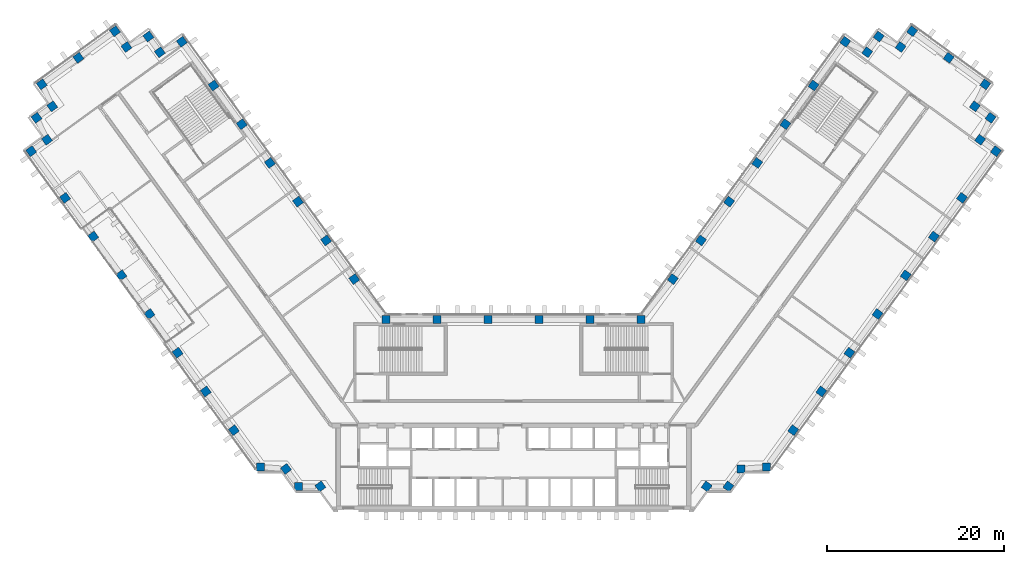
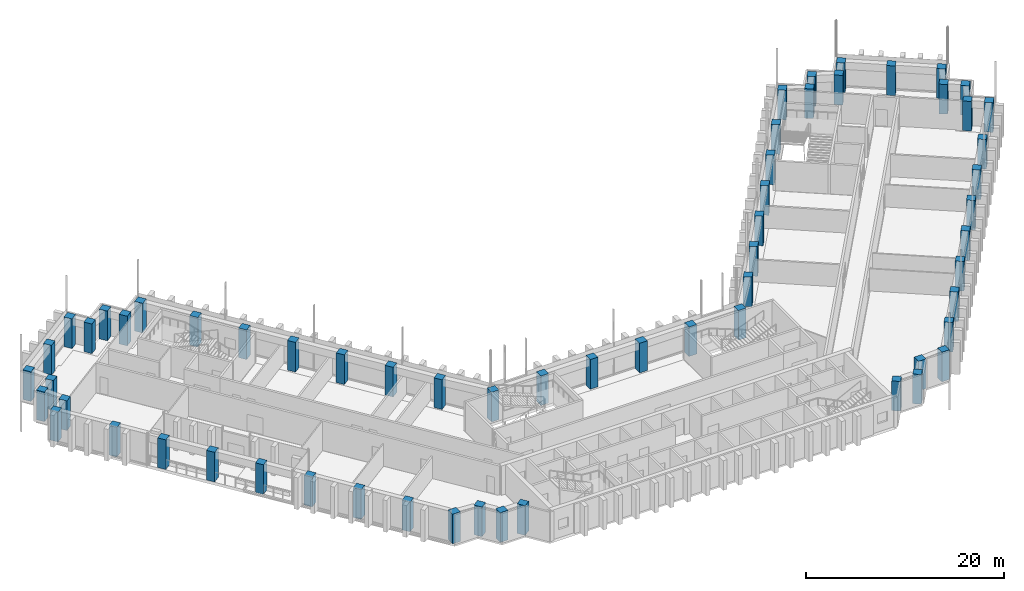
# One storey, part 1 of 19: 62 columns.
"""IFC4 building model written with IfcOpenShell, lengths in metres."""

from ifc_helpers import new_model, si_unit, direction, frame, origin, origin_2d, place, context, subcontext, project, spatial, rectangle, extrude, material, material_profile, profile_set, type_object, element, save


model = new_model("IFC4")

# Units and contexts
model_context = context("Model", 3, precision=1e-05, world=origin(), true_north=direction((0.0, 1.0)))
body_context = subcontext(model_context, "Body", "Model", "MODEL_VIEW")
ifc_project = project(units=[si_unit("LENGTHUNIT", "METRE"), si_unit("AREAUNIT", "SQUARE_METRE"), si_unit("VOLUMEUNIT", "CUBIC_METRE"), si_unit("PLANEANGLEUNIT", "RADIAN"), si_unit("MASSUNIT", "GRAM", prefix="KILO")], contexts=[model_context])

# Site, building, storey
site_placement = place(None, origin())
site = spatial("IfcSite", under=ifc_project, at=site_placement, CompositionType="ELEMENT")
building_placement = place(site_placement, origin())
building = spatial("IfcBuilding", under=site, at=building_placement, Name="Quipu Civic Tower", CompositionType="ELEMENT")
storey_placement = place(building_placement, frame((0.0, 0.0, 47.0)))
storey = spatial("IfcBuildingStorey", under=building, at=storey_placement, Name="L10", CompositionType="ELEMENT", Elevation=47.0)

# Columns
ifc_material = material(Name="Concrete C70/85", Category="concrete")
ifc_material_profile = material_profile(ifc_material, rectangle(XDim=0.89990234375, YDim=0.89990234375, at=origin_2d()), Name="RC900x900")
ifc_profile_set = profile_set([ifc_material_profile], Name="Concrete C70/85")
column_type = type_object("IfcColumnType", Name="Perimeter column RC 900x900 C70/85", PredefinedType="COLUMN", material=ifc_profile_set)
for number, where, z_axis, x_axis, name in (
    (1, (-17.9736328125, 15.074951171875, 0.0), (0.0, 0.0, 1.0), (-0.587785252292, 0.809016994375, 0.0), "Column L10 W-IN-01"),
    (2, (-21.1474609375, 19.44384765625, 0.0), (0.0, 0.0, 1.0), (-0.587785252292, 0.809016994375, 0.0), "Column L10 W-IN-02"),
    (3, (-24.3212890625, 23.8125, 0.0), (0.0, 0.0, 1.0), (-0.587785252292, 0.809016994375, 0.0), "Column L10 W-IN-03"),
    (4, (-27.4951171875, 28.181396484375, 0.0), (0.0, 0.0, 1.0), (-0.587785252292, 0.809016994375, 0.0), "Column L10 W-IN-04"),
    (5, (-30.6689453125, 32.55029296875, 0.0), (0.0, 0.0, 1.0), (-0.587785252292, 0.809016994375, 0.0), "Column L10 W-IN-05"),
    (6, (-33.843017578125, 36.919189453125, 0.0), (0.0, 0.0, 1.0), (-0.587785252292, 0.809016994375, 0.0), "Column L10 W-IN-06"),
    (7, (-37.425048828125, 41.85009765625, 0.0), (0.0, 0.0, 1.0), (-0.587785252292, 0.809016994375, 0.0), "Column L10 T-Wi.0-W50"),
    (8, (-39.905517578125, 40.666015625, 0.0), (0.0, 0.0, 1.0), (-0.587785252292, 0.809016994375, 0.0), "Column L10 T-Wi.1-W50"),
    (9, (-41.199951171875, 42.445068359375, 0.0), (0.0, 0.0, 1.0), (-0.587785252292, 0.809016994375, 0.0), "Column L10 T-Wi.2-W50"),
    (10, (-43.674560546875, 41.264892578125, 0.0), (0.0, 0.0, 1.0), (-0.809016994375, -0.587785252292, 0.0), "Column L10 T-Wi.3-W50"),
    (11, (-44.969970703125, 43.044921875, 0.0), (0.0, 0.0, 1.0), (-0.809016994375, -0.587785252292, 0.0), "Column L10 T-Wi.4-W50"),
    (12, (-49.095703125, 40.046875, 0.0), (0.0, 0.0, 1.0), (-0.809016994375, -0.587785252292, 0.0), "Column L10 TIP-W-01-W50"),
    (13, (-53.219970703125, 37.050048828125, 0.0), (0.0, 0.0, 1.0), (0.587785252292, -0.809016994375, 0.0), "Column L10 T-Wo.0-W50"),
    (14, (-52.038818359375, 34.571044921875, 0.0), (0.0, 0.0, 1.0), (-0.809016994375, -0.587785252292, 0.0), "Column L10 T-Wo.1-W50"),
    (15, (-53.820068359375, 33.27490234375, 0.0), (0.0, 0.0, 1.0), (0.587785252292, -0.809016994375, 0.0), "Column L10 T-Wo.2-W50"),
    (16, (-52.635986328125, 30.799560546875, 0.0), (0.0, 0.0, 1.0), (-0.809016994375, -0.587785252292, 0.0), "Column L10 T-Wo.3-W50"),
    (17, (-54.4150390625, 29.5048828125, 0.0), (0.0, 0.0, 1.0), (0.587785252292, -0.809016994375, 0.0), "Column L10 T-Wo.4-W50"),
    (18, (-50.59228515625, 24.243408203125, 0.0), (0.0, 0.0, 1.0), (0.587785252292, -0.809016994375, 0.0), "Column L10 W-OUT-07"),
    (19, (-47.41845703125, 19.874755859375, 0.0), (0.0, 0.0, 1.0), (0.587785252292, -0.809016994375, 0.0), "Column L10 W-OUT-06"),
    (20, (-44.244384765625, 15.506103515625, 0.0), (0.0, 0.0, 1.0), (0.587785252292, -0.809016994375, 0.0), "Column L10 W-OUT-05"),
    (21, (-41.0703125, 11.137451171875, 0.0), (0.0, 0.0, 1.0), (0.587785252292, -0.809016994375, 0.0), "Column L10 W-OUT-04"),
    (22, (-37.896240234375, 6.768798828125, 0.0), (0.0, 0.0, 1.0), (0.587785252292, -0.809016994375, 0.0), "Column L10 W-OUT-03"),
    (23, (-34.722412109375, 2.39990234375, 0.0), (0.0, 0.0, 1.0), (0.587785252292, -0.809016994375, 0.0), "Column L10 W-OUT-02"),
    (24, (-31.54833984375, -1.96875, 0.0), (0.0, 0.0, 1.0), (0.587785252292, -0.809016994375, 0.0), "Column L10 W-OUT-01"),
    (25, (-28.52490234375, -6.1298828125, 0.0), (0.0, 0.0, 1.0), (1.0, 0.0, 0.0), "Column L10 J-Wo.0"),
    (26, (-25.67431640625, -6.3369140625, 0.0), (0.0, 0.0, 1.0), (0.587785252292, -0.809016994375, 0.0), "Column L10 J-Wo.1"),
    (27, (-24.235107421875, -8.31494140625, 0.0), (0.0, 0.0, 1.0), (1.0, 0.0, 0.0), "Column L10 J-Wo.2"),
    (28, (-21.791748046875, -8.31494140625, 0.0), (0.0, 0.0, 1.0), (0.587785252292, -0.809016994375, 0.0), "Column L10 J-Wo.3"),
    (29, (21.791748046875, -8.31494140625, 0.0), (0.0, 0.0, 1.0), (0.587785252292, 0.809016994375, 0.0), "Column L10 J-Eo.1"),
    (30, (24.235107421875, -8.31494140625, 0.0), (0.0, 0.0, 1.0), (0.587785252292, 0.809016994375, 0.0), "Column L10 J-Eo.2"),
    (31, (25.67431640625, -6.3369140625, 0.0), (0.0, 0.0, 1.0), (1.0, 0.0, 0.0), "Column L10 J-Eo.3"),
    (32, (28.52490234375, -6.1298828125, 0.0), (0.0, 0.0, 1.0), (1.0, 0.0, 0.0), "Column L10 J-Eo.4"),
    (33, (31.54833984375, -1.96875, 0.0), (0.0, 0.0, 1.0), (0.587785252292, 0.809016994375, 0.0), "Column L10 E-OUT-01"),
    (34, (34.722412109375, 2.39990234375, 0.0), (0.0, 0.0, 1.0), (0.587785252292, 0.809016994375, 0.0), "Column L10 E-OUT-02"),
    (35, (37.896240234375, 6.768798828125, 0.0), (0.0, 0.0, 1.0), (0.587785252292, 0.809016994375, 0.0), "Column L10 E-OUT-03"),
    (36, (41.0703125, 11.137451171875, 0.0), (0.0, 0.0, 1.0), (0.587785252292, 0.809016994375, 0.0), "Column L10 E-OUT-04"),
    (37, (44.244384765625, 15.506103515625, 0.0), (0.0, 0.0, 1.0), (0.587785252292, 0.809016994375, 0.0), "Column L10 E-OUT-05"),
    (38, (47.41845703125, 19.874755859375, 0.0), (0.0, 0.0, 1.0), (0.587785252292, 0.809016994375, 0.0), "Column L10 E-OUT-06"),
    (39, (50.59228515625, 24.243408203125, 0.0), (0.0, 0.0, 1.0), (0.587785252292, 0.809016994375, 0.0), "Column L10 E-OUT-07"),
    (40, (54.4150390625, 29.5048828125, 0.0), (0.0, 0.0, 1.0), (0.587785252292, 0.809016994375, 0.0), "Column L10 T-Eo.0-E50"),
    (41, (52.635986328125, 30.799560546875, 0.0), (0.0, 0.0, 1.0), (-0.809016994375, 0.587785252292, 0.0), "Column L10 T-Eo.1-E50"),
    (42, (53.820068359375, 33.27490234375, 0.0), (0.0, 0.0, 1.0), (-0.809016994375, 0.587785252292, 0.0), "Column L10 T-Eo.2-E50"),
    (43, (52.038818359375, 34.571044921875, 0.0), (0.0, 0.0, 1.0), (0.587785252292, 0.809016994375, 0.0), "Column L10 T-Eo.3-E50"),
    (44, (53.219970703125, 37.050048828125, 0.0), (0.0, 0.0, 1.0), (-0.809016994375, 0.587785252292, 0.0), "Column L10 T-Eo.4-E50"),
    (45, (49.095703125, 40.046875, 0.0), (0.0, 0.0, 1.0), (-0.809016994375, 0.587785252292, 0.0), "Column L10 TIP-E-01-E50"),
    (46, (44.969970703125, 43.044921875, 0.0), (0.0, 0.0, 1.0), (-0.809016994375, 0.587785252292, 0.0), "Column L10 T-Ei.0-E50"),
    (47, (43.674560546875, 41.264892578125, 0.0), (0.0, 0.0, 1.0), (-0.809016994375, 0.587785252292, 0.0), "Column L10 T-Ei.1-E50"),
    (48, (41.199951171875, 42.445068359375, 0.0), (0.0, 0.0, 1.0), (-0.587785252292, -0.809016994375, 0.0), "Column L10 T-Ei.2-E50"),
    (49, (39.905517578125, 40.666015625, 0.0), (0.0, 0.0, 1.0), (-0.587785252292, -0.809016994375, 0.0), "Column L10 T-Ei.3-E50"),
    (50, (37.425048828125, 41.85009765625, 0.0), (0.0, 0.0, 1.0), (-0.587785252292, -0.809016994375, 0.0), "Column L10 T-Ei.4-E50"),
    (51, (33.843017578125, 36.919189453125, 0.0), (0.0, 0.0, 1.0), (-0.587785252292, -0.809016994375, 0.0), "Column L10 E-IN-06"),
    (52, (30.6689453125, 32.55029296875, 0.0), (0.0, 0.0, 1.0), (-0.587785252292, -0.809016994375, 0.0), "Column L10 E-IN-05"),
    (53, (27.4951171875, 28.181396484375, 0.0), (0.0, 0.0, 1.0), (-0.587785252292, -0.809016994375, 0.0), "Column L10 E-IN-04"),
    (54, (24.3212890625, 23.8125, 0.0), (0.0, 0.0, 1.0), (-0.587785252292, -0.809016994375, 0.0), "Column L10 E-IN-03"),
    (55, (21.1474609375, 19.44384765625, 0.0), (0.0, 0.0, 1.0), (-0.587785252292, -0.809016994375, 0.0), "Column L10 E-IN-02"),
    (56, (17.9736328125, 15.074951171875, 0.0), (0.0, 0.0, 1.0), (-0.587785252292, -0.809016994375, 0.0), "Column L10 E-IN-01"),
    (57, (14.395263671875, 10.5, 0.0), (0.0, 0.0, 1.0), (-1.0, 0.0, 0.0), "Column L10 J-Ei.0"),
    (58, (8.63720703125, 10.5, 0.0), (0.0, 0.0, 1.0), (-1.0, 0.0, 0.0), "Column L10 FRONT-01"),
    (59, (2.87890625, 10.5, 0.0), (0.0, 0.0, 1.0), (-1.0, 0.0, 0.0), "Column L10 FRONT-02"),
    (60, (-2.87890625, 10.5, 0.0), (0.0, 0.0, 1.0), (-1.0, 0.0, 0.0), "Column L10 FRONT-03"),
    (61, (-8.63720703125, 10.5, 0.0), (0.0, 0.0, 1.0), (-1.0, 0.0, 0.0), "Column L10 FRONT-04"),
    (62, (-14.395263671875, 10.5, 0.0), (0.0, 0.0, 1.0), (-1.0, 0.0, 0.0), "Column L10 J-Wi.0"),
):
    element("IfcColumn", number, at=place(storey_placement, frame(where, z_axis=z_axis, x_axis=x_axis)), inside=storey, type_object=column_type, Name=name, PredefinedType="COLUMN", context=body_context, shape_type="SweptSolid", body=[
        extrude(rectangle(XDim=0.89990234375, YDim=0.89990234375, at=origin_2d()), origin(), (0.0, 0.0, 1.0), 3.64990234375),
    ])

save(model, "model.ifc")
